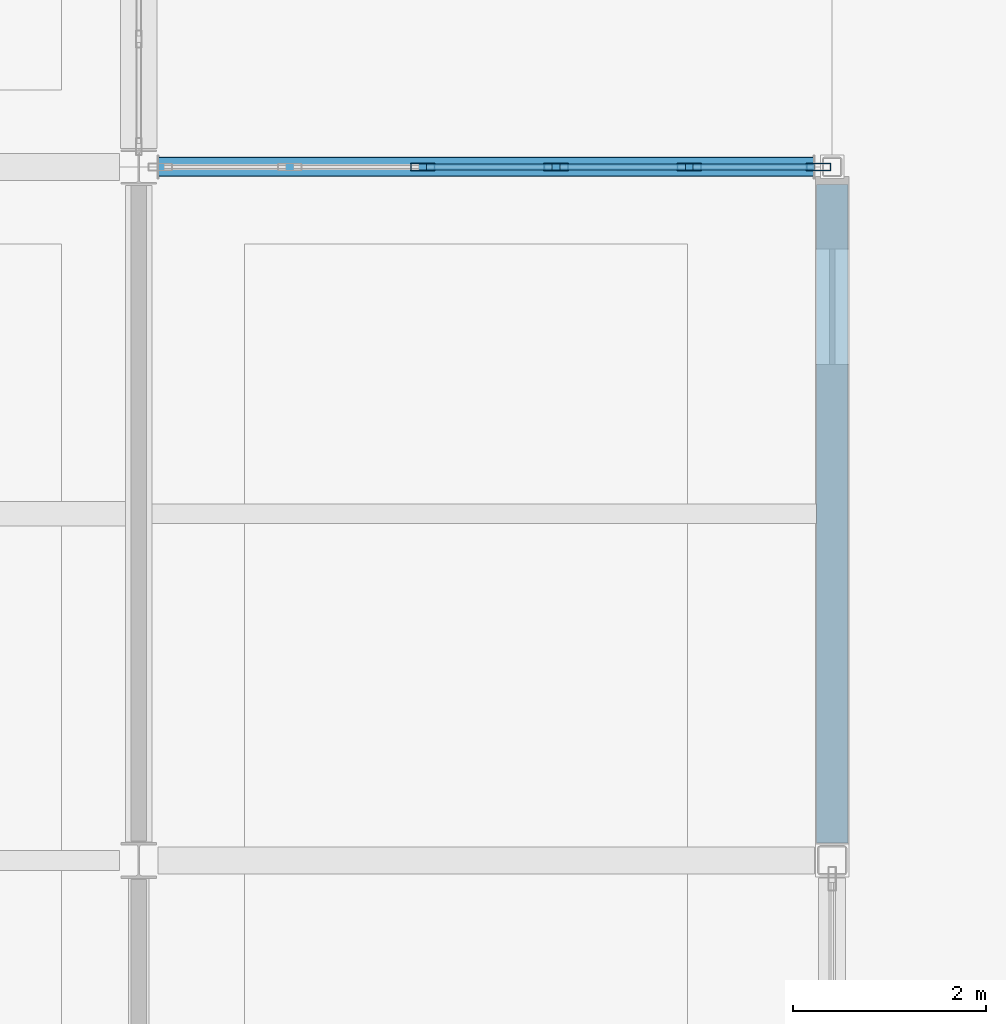
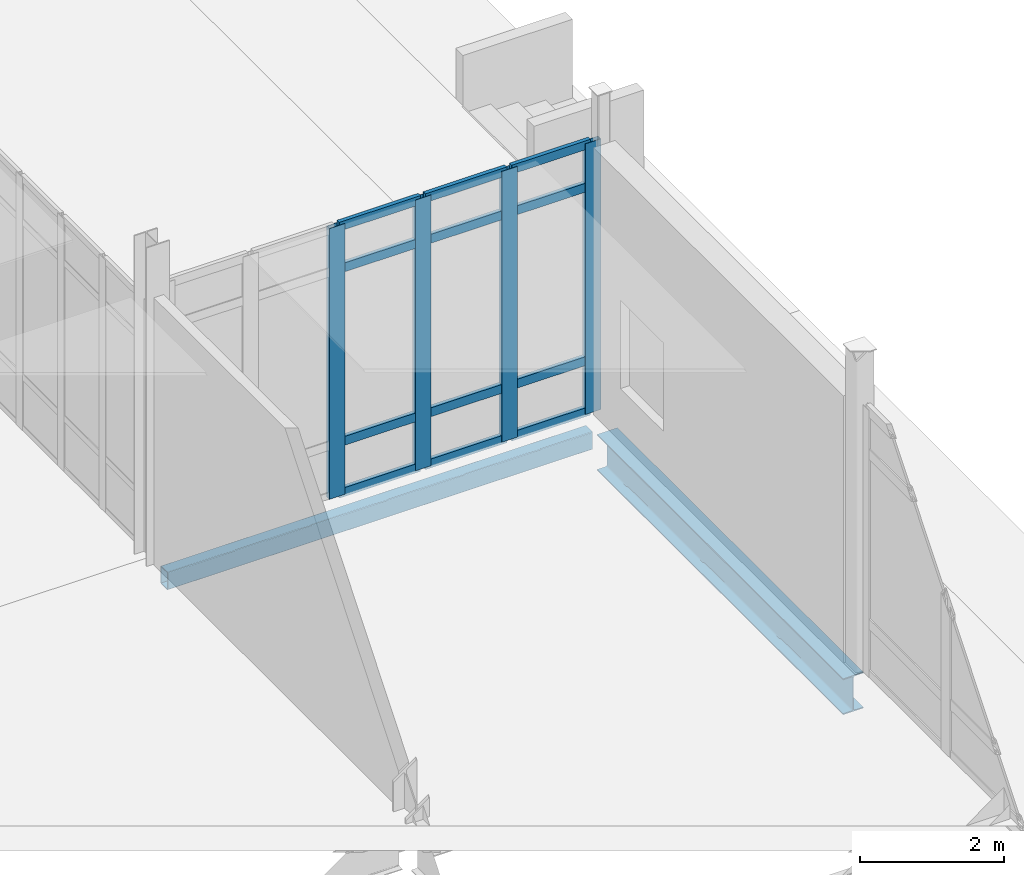
# One storey, part 122 of 229: 16 members, 2 beams, 1 element without a shape of its own.
"""IFC4 building model written with IfcOpenShell, lengths in metres."""

from ifc_helpers import new_model, si_unit, direction, frame, origin, origin_2d, place, context, subcontext, project, spatial, hollow_rectangle, i_section, extrude, material, layer, layer_set, material_profile, profile_set, type_object, element, aggregate, save


model = new_model("IFC4")

# Units and contexts
model_context = context("Model", 3, precision=1e-05, world=origin(), true_north=direction((0.0, 1.0)))
body_context = subcontext(model_context, "Body", "Model", "MODEL_VIEW")
ifc_project = project(units=[si_unit("LENGTHUNIT", "METRE"), si_unit("AREAUNIT", "SQUARE_METRE"), si_unit("VOLUMEUNIT", "CUBIC_METRE"), si_unit("PLANEANGLEUNIT", "RADIAN"), si_unit("MASSUNIT", "GRAM", prefix="KILO")], contexts=[model_context])

# Site, building, storey
site_placement = place(None, origin())
site = spatial("IfcSite", under=ifc_project, at=site_placement, CompositionType="ELEMENT")
building_placement = place(site_placement, origin())
building = spatial("IfcBuilding", under=site, at=building_placement, Name="Calvrana Isthmian Art Gallery", CompositionType="ELEMENT")
storey_placement = place(building_placement, origin())
storey = spatial("IfcBuildingStorey", under=building, at=storey_placement, Name="L00", CompositionType="ELEMENT", Elevation=0.0)

# Beams
ifc_material_1 = material(Name="Steel ASTM A992 Gr 50", Category="steel")
ifc_material_profile_1 = material_profile(ifc_material_1, i_section(OverallWidth=0.324951171875, OverallDepth=0.612060546875, WebThickness=0.0126953125, FlangeThickness=0.01904296875, FilletRadius=0.02197265625, at=origin_2d()), Name="W24X104")
ifc_profile_set_1 = profile_set([ifc_material_profile_1], Name="Steel ASTM A992 Gr 50")
beam_type_1 = type_object("IfcBeamType", Name="BM-G-W24X104", PredefinedType="BEAM", material=ifc_profile_set_1)
beam_1_placement = place(storey_placement, frame((163.199951171875, 14.58154296875, -0.591064453125), z_axis=(0.0, 1.0, 0.0), x_axis=(-1.0, 0.0, 0.0)))
element("IfcBeam", 1, at=beam_1_placement, inside=storey, type_object=beam_type_1, Name="Girder Y L00 22/C-D", PredefinedType="BEAM", context=body_context, shape_type="SweptSolid", body=[
    extrude(i_section(OverallWidth=0.324951171875, OverallDepth=0.612060546875, WebThickness=0.0126953125, FlangeThickness=0.01904296875, FilletRadius=0.02197265625, at=origin_2d()), origin(), (0.0, 0.0, 1.0), 6.83447265625),
])
ifc_material_2 = material(Name="Steel ASTM A500 Gr C", Category="steel")
ifc_material_profile_2 = material_profile(ifc_material_2, hollow_rectangle(XDim=0.203125, YDim=0.3046875, WallThickness=0.0126953125, OuterFilletRadius=0.02490234375, at=origin_2d()), Name="HSS305X203X12.7")
ifc_profile_set_2 = profile_set([ifc_material_profile_2], Name="Steel ASTM A500 Gr C")
beam_type_2 = type_object("IfcBeamType", Name="BM-SP-HSS305", PredefinedType="SPANDREL", material=ifc_profile_set_2)
beam_2_placement = place(storey_placement, frame((156.199462890625, 21.60009765625, -0.4375), z_axis=(1.0, 0.0, 0.0), x_axis=(0.0, 1.0, 0.0)))
element("IfcBeam", 2, at=beam_2_placement, inside=storey, type_object=beam_type_2, Name="Girder X L00 21-22/D", PredefinedType="SPANDREL", context=body_context, shape_type="SweptSolid", body=[
    extrude(hollow_rectangle(XDim=0.203125, YDim=0.3046875, WallThickness=0.0126953125, OuterFilletRadius=0.02490234375, at=origin_2d()), origin(), (0.0, 0.0, 1.0), 6.81396484375),
])

# Curtain wall, members
ifc_material_3 = material(Name="Anodized bronze aluminium 6063-T6", Category="aluminium")
ifc_layer = layer(ifc_material_3, 0.179931640625, Name="Anodized bronze aluminium 6063-T6")
ifc_layer_set = layer_set([ifc_layer], Name="Anodized bronze aluminium 6063-T6")
curtain_wall_type = type_object("IfcCurtainWallType", Name="CW-STICK-069X46", PredefinedType="NOTDEFINED", material=ifc_layer_set)
curtain_wall_placement = place(storey_placement, origin())
curtain_wall = element("IfcCurtainWall", 3, at=curtain_wall_placement, inside=storey, type_object=curtain_wall_type, Name="Curtain wall CW-017", PredefinedType="NOTDEFINED")
ifc_material_profile_3 = material_profile(ifc_material_3, hollow_rectangle(XDim=0.080078125, YDim=0.25, WallThickness=0.005615234375, at=origin_2d()), Name="CWM80X250")
ifc_profile_set_3 = profile_set([ifc_material_profile_3], Name="Anodized bronze aluminium 6063-T6")
member_type_1 = type_object("IfcMemberType", Name="CWM-CWM80X250", PredefinedType="MULLION", material=ifc_profile_set_3)
member_1_placement = place(storey_placement, frame((158.94970703125, 21.60009765625, 0.0), z_axis=(0.0, 0.0, 1.0), x_axis=(0.0, 1.0, 0.0)))
member_1 = element("IfcMember", 4, at=member_1_placement, type_object=member_type_1, Name="CW-017 mullion 3", PredefinedType="MULLION", context=body_context, shape_type="SweptSolid", body=[
    extrude(hollow_rectangle(XDim=0.080078125, YDim=0.25, WallThickness=0.005615234375, at=origin_2d()), origin(), (0.0, 0.0, 1.0), 4.591064453125),
])
member_2_placement = place(storey_placement, frame((160.33251953125, 21.60009765625, 0.0), z_axis=(0.0, 0.0, 1.0), x_axis=(0.0, 1.0, 0.0)))
member_2 = element("IfcMember", 5, at=member_2_placement, type_object=member_type_1, Name="CW-017 mullion 4", PredefinedType="MULLION", context=body_context, shape_type="SweptSolid", body=[
    extrude(hollow_rectangle(XDim=0.080078125, YDim=0.25, WallThickness=0.005615234375, at=origin_2d()), origin(), (0.0, 0.0, 1.0), 4.591064453125),
])
member_3_placement = place(storey_placement, frame((161.715576171875, 21.60009765625, 0.0), z_axis=(0.0, 0.0, 1.0), x_axis=(0.0, 1.0, 0.0)))
member_3 = element("IfcMember", 6, at=member_3_placement, type_object=member_type_1, Name="CW-017 mullion 5", PredefinedType="MULLION", context=body_context, shape_type="SweptSolid", body=[
    extrude(hollow_rectangle(XDim=0.080078125, YDim=0.25, WallThickness=0.005615234375, at=origin_2d()), origin(), (0.0, 0.0, 1.0), 4.591064453125),
])
member_4_placement = place(storey_placement, frame((163.058349609375, 21.60009765625, 0.0), z_axis=(0.0, 0.0, 1.0), x_axis=(0.0, 1.0, 0.0)))
member_4 = element("IfcMember", 7, at=member_4_placement, type_object=member_type_1, Name="CW-017 mullion 6", PredefinedType="MULLION", context=body_context, shape_type="SweptSolid", body=[
    extrude(hollow_rectangle(XDim=0.080078125, YDim=0.25, WallThickness=0.005615234375, at=origin_2d()), origin(), (0.0, 0.0, 1.0), 4.591064453125),
])
ifc_material_profile_4 = material_profile(ifc_material_3, hollow_rectangle(XDim=0.06494140625, YDim=0.14990234375, WallThickness=0.00390625, at=origin_2d()), Name="CWT65X150")
ifc_profile_set_4 = profile_set([ifc_material_profile_4], Name="Anodized bronze aluminium 6063-T6")
member_type_2 = type_object("IfcMemberType", Name="CWT-CWT65X150", PredefinedType="USERDEFINED", material=ifc_profile_set_4)
member_5_placement = place(storey_placement, frame((158.98974609375, 21.60009765625, 0.032470703125), z_axis=(1.0, 0.0, 0.0), x_axis=(0.0, 1.0, 0.0)))
member_5 = element("IfcMember", 8, at=member_5_placement, type_object=member_type_2, Name="CW-017 transom 3.1", ObjectType="TRANSOM", PredefinedType="USERDEFINED", context=body_context, shape_type="SweptSolid", body=[
    extrude(hollow_rectangle(XDim=0.06494140625, YDim=0.14990234375, WallThickness=0.00390625, at=origin_2d()), origin(), (0.0, 0.0, 1.0), 1.302978515625),
])
member_6_placement = place(storey_placement, frame((158.98974609375, 21.60009765625, 0.89990234375), z_axis=(1.0, 0.0, 0.0), x_axis=(0.0, 1.0, 0.0)))
member_6 = element("IfcMember", 9, at=member_6_placement, type_object=member_type_2, Name="CW-017 transom 3.2", ObjectType="TRANSOM", PredefinedType="USERDEFINED", context=body_context, shape_type="SweptSolid", body=[
    extrude(hollow_rectangle(XDim=0.06494140625, YDim=0.14990234375, WallThickness=0.00390625, at=origin_2d()), origin(), (0.0, 0.0, 1.0), 1.302978515625),
])
member_7_placement = place(storey_placement, frame((158.98974609375, 21.60009765625, 3.841064453125), z_axis=(1.0, 0.0, 0.0), x_axis=(0.0, 1.0, 0.0)))
member_7 = element("IfcMember", 10, at=member_7_placement, type_object=member_type_2, Name="CW-017 transom 3.3", ObjectType="TRANSOM", PredefinedType="USERDEFINED", context=body_context, shape_type="SweptSolid", body=[
    extrude(hollow_rectangle(XDim=0.06494140625, YDim=0.14990234375, WallThickness=0.00390625, at=origin_2d()), origin(), (0.0, 0.0, 1.0), 1.302978515625),
])
member_8_placement = place(storey_placement, frame((158.98974609375, 21.60009765625, 4.55859375), z_axis=(1.0, 0.0, 0.0), x_axis=(0.0, 1.0, 0.0)))
member_8 = element("IfcMember", 11, at=member_8_placement, type_object=member_type_2, Name="CW-017 transom 3.4", ObjectType="TRANSOM", PredefinedType="USERDEFINED", context=body_context, shape_type="SweptSolid", body=[
    extrude(hollow_rectangle(XDim=0.06494140625, YDim=0.14990234375, WallThickness=0.00390625, at=origin_2d()), origin(), (0.0, 0.0, 1.0), 1.302978515625),
])
member_9_placement = place(storey_placement, frame((160.37255859375, 21.60009765625, 0.032470703125), z_axis=(1.0, 0.0, 0.0), x_axis=(0.0, 1.0, 0.0)))
member_9 = element("IfcMember", 12, at=member_9_placement, type_object=member_type_2, Name="CW-017 transom 4.1", ObjectType="TRANSOM", PredefinedType="USERDEFINED", context=body_context, shape_type="SweptSolid", body=[
    extrude(hollow_rectangle(XDim=0.06494140625, YDim=0.14990234375, WallThickness=0.00390625, at=origin_2d()), origin(), (0.0, 0.0, 1.0), 1.302978515625),
])
member_10_placement = place(storey_placement, frame((160.37255859375, 21.60009765625, 0.89990234375), z_axis=(1.0, 0.0, 0.0), x_axis=(0.0, 1.0, 0.0)))
member_10 = element("IfcMember", 13, at=member_10_placement, type_object=member_type_2, Name="CW-017 transom 4.2", ObjectType="TRANSOM", PredefinedType="USERDEFINED", context=body_context, shape_type="SweptSolid", body=[
    extrude(hollow_rectangle(XDim=0.06494140625, YDim=0.14990234375, WallThickness=0.00390625, at=origin_2d()), origin(), (0.0, 0.0, 1.0), 1.302978515625),
])
member_11_placement = place(storey_placement, frame((160.37255859375, 21.60009765625, 3.841064453125), z_axis=(1.0, 0.0, 0.0), x_axis=(0.0, 1.0, 0.0)))
member_11 = element("IfcMember", 14, at=member_11_placement, type_object=member_type_2, Name="CW-017 transom 4.3", ObjectType="TRANSOM", PredefinedType="USERDEFINED", context=body_context, shape_type="SweptSolid", body=[
    extrude(hollow_rectangle(XDim=0.06494140625, YDim=0.14990234375, WallThickness=0.00390625, at=origin_2d()), origin(), (0.0, 0.0, 1.0), 1.302978515625),
])
member_12_placement = place(storey_placement, frame((160.37255859375, 21.60009765625, 4.55859375), z_axis=(1.0, 0.0, 0.0), x_axis=(0.0, 1.0, 0.0)))
member_12 = element("IfcMember", 15, at=member_12_placement, type_object=member_type_2, Name="CW-017 transom 4.4", ObjectType="TRANSOM", PredefinedType="USERDEFINED", context=body_context, shape_type="SweptSolid", body=[
    extrude(hollow_rectangle(XDim=0.06494140625, YDim=0.14990234375, WallThickness=0.00390625, at=origin_2d()), origin(), (0.0, 0.0, 1.0), 1.302978515625),
])
member_13_placement = place(storey_placement, frame((161.755615234375, 21.60009765625, 0.032470703125), z_axis=(1.0, 0.0, 0.0), x_axis=(0.0, 1.0, 0.0)))
member_13 = element("IfcMember", 16, at=member_13_placement, type_object=member_type_2, Name="CW-017 transom 5.1", ObjectType="TRANSOM", PredefinedType="USERDEFINED", context=body_context, shape_type="SweptSolid", body=[
    extrude(hollow_rectangle(XDim=0.06494140625, YDim=0.14990234375, WallThickness=0.00390625, at=origin_2d()), origin(), (0.0, 0.0, 1.0), 1.2626953125),
])
member_14_placement = place(storey_placement, frame((161.755615234375, 21.60009765625, 0.89990234375), z_axis=(1.0, 0.0, 0.0), x_axis=(0.0, 1.0, 0.0)))
member_14 = element("IfcMember", 17, at=member_14_placement, type_object=member_type_2, Name="CW-017 transom 5.2", ObjectType="TRANSOM", PredefinedType="USERDEFINED", context=body_context, shape_type="SweptSolid", body=[
    extrude(hollow_rectangle(XDim=0.06494140625, YDim=0.14990234375, WallThickness=0.00390625, at=origin_2d()), origin(), (0.0, 0.0, 1.0), 1.2626953125),
])
member_15_placement = place(storey_placement, frame((161.755615234375, 21.60009765625, 3.841064453125), z_axis=(1.0, 0.0, 0.0), x_axis=(0.0, 1.0, 0.0)))
member_15 = element("IfcMember", 18, at=member_15_placement, type_object=member_type_2, Name="CW-017 transom 5.3", ObjectType="TRANSOM", PredefinedType="USERDEFINED", context=body_context, shape_type="SweptSolid", body=[
    extrude(hollow_rectangle(XDim=0.06494140625, YDim=0.14990234375, WallThickness=0.00390625, at=origin_2d()), origin(), (0.0, 0.0, 1.0), 1.2626953125),
])
member_16_placement = place(storey_placement, frame((161.755615234375, 21.60009765625, 4.55859375), z_axis=(1.0, 0.0, 0.0), x_axis=(0.0, 1.0, 0.0)))
member_16 = element("IfcMember", 19, at=member_16_placement, type_object=member_type_2, Name="CW-017 transom 5.4", ObjectType="TRANSOM", PredefinedType="USERDEFINED", context=body_context, shape_type="SweptSolid", body=[
    extrude(hollow_rectangle(XDim=0.06494140625, YDim=0.14990234375, WallThickness=0.00390625, at=origin_2d()), origin(), (0.0, 0.0, 1.0), 1.2626953125),
])
aggregate(curtain_wall, [member_1, member_2, member_3, member_4, member_5, member_6, member_7, member_8, member_9, member_10, member_11, member_12, member_13, member_14, member_15, member_16])

save(model, "model.ifc")
